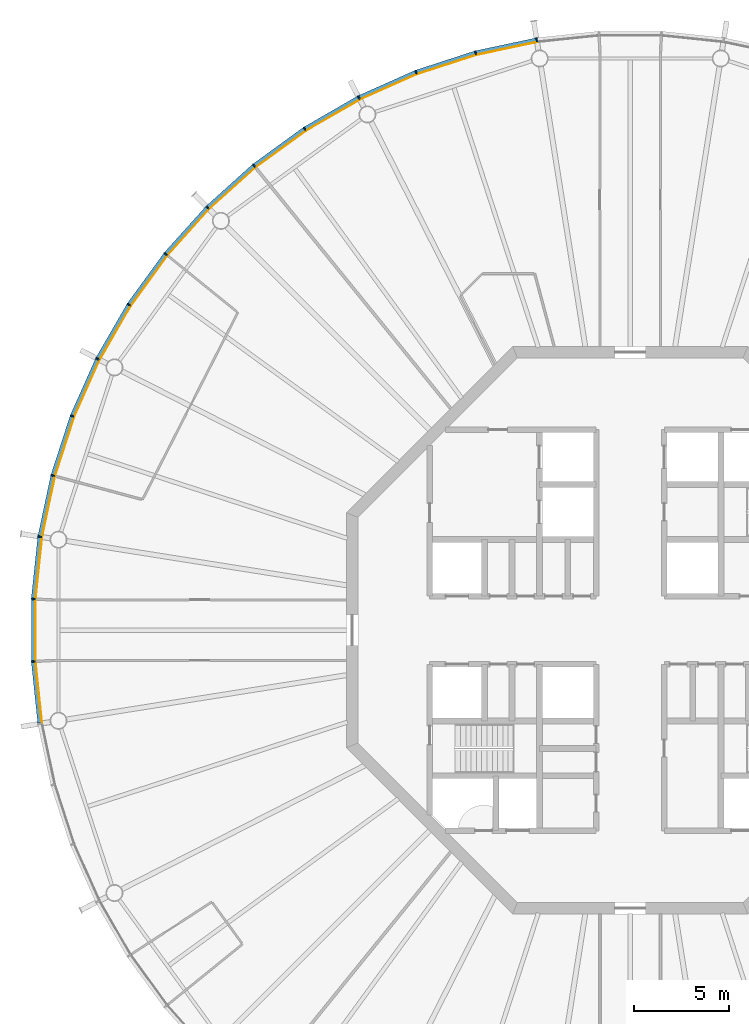
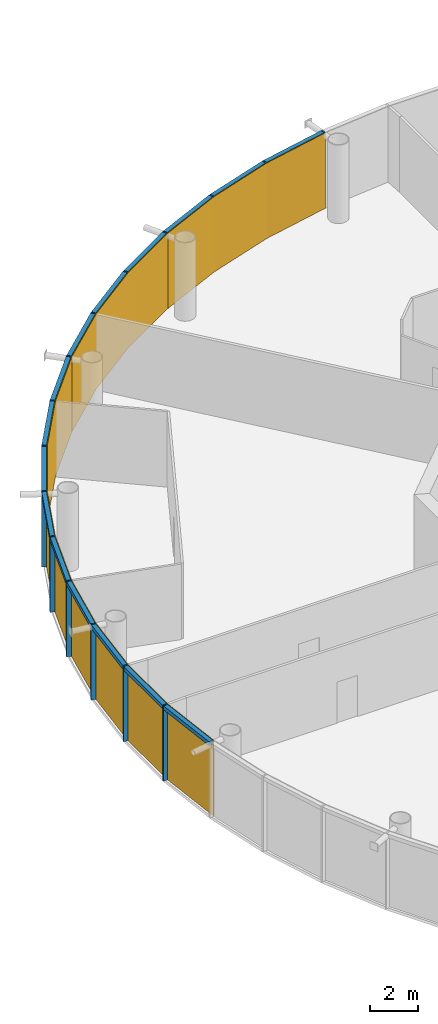
# One storey, part 15 of 18: 30 members, 5 curtain walls.
"""IFC4 building model written with IfcOpenShell, lengths in metres."""

import ifcopenshell
import ifcopenshell.guid

model = None  # the IFC model being written
_history = None  # IfcOwnerHistory: only IFC2X3 demands one
_inside = {}  # id of a spatial element -> (the spatial element, [elements in it])
_under = {}  # id of a project, library or spatial element -> (it, [spatial elements below it])
_declared = {}  # id of a project -> (the project, [libraries it declares])
_typed = {}  # id of a type object -> (the type object, [elements of that type])
_made_of = {}  # id of a material, layer set ... -> (it, [elements and type objects made of it])


def new_model(schema):
    """Start an empty IFC model of exactly this schema.

    Asked for "IFC4X3", IfcOpenShell would pick the latest addendum, in which some entities
    have other attributes; the version numbers below select the first issue.
    IFC2X3 requires an IfcOwnerHistory on every rooted entity: one is made here for all.
    """
    global model, _history
    if schema == "IFC4X3":
        model = ifcopenshell.file(schema_version=(4, 3, 0, 0))
    else:
        model = ifcopenshell.file(schema=schema)
    _inside.clear()
    _under.clear()
    _declared.clear()
    _typed.clear()
    _made_of.clear()
    _history = None
    if model.schema == "IFC2X3":
        org = make("IfcOrganization", Name="unknown")
        user = make(
            "IfcPersonAndOrganization",
            ThePerson=make("IfcPerson", FamilyName="unknown"),
            TheOrganization=org,
        )
        app = make(
            "IfcApplication",
            ApplicationDeveloper=org,
            Version="unknown",
            ApplicationFullName="unknown",
            ApplicationIdentifier="unknown",
        )
        _history = make(
            "IfcOwnerHistory",
            OwningUser=user,
            OwningApplication=app,
            ChangeAction="ADDED",
            CreationDate=0,
        )
    return model


def make(cls, **values):
    """One entity of the class cls with the attributes given. An attribute that is None is left unset."""
    return model.create_entity(
        cls, **{name: value for name, value in values.items() if value is not None}
    )


def rooted(cls, **values):
    """An entity with a GlobalId (a new one), such as an element, a storey or a relation."""
    return make(cls, GlobalId=ifcopenshell.guid.new(), OwnerHistory=_history, **values)


def si_unit(unit_type, name, prefix=None):
    """IfcSIUnit, for example si_unit("LENGTHUNIT", "METRE", prefix="MILLI")."""
    return make("IfcSIUnit", UnitType=unit_type, Prefix=prefix, Name=name)


def assignment(units):
    """IfcUnitAssignment: the units of a project."""
    return None if units is None else make("IfcUnitAssignment", Units=units)


def point(xyz):
    """IfcCartesianPoint."""
    return None if xyz is None else make("IfcCartesianPoint", Coordinates=xyz)


def direction(xyz):
    """IfcDirection."""
    return None if xyz is None else make("IfcDirection", DirectionRatios=xyz)


def frame(location, z_axis=None, x_axis=None):
    """IfcAxis2Placement3D, a coordinate frame: its origin and axes. An axis left out is left unset."""
    return make(
        "IfcAxis2Placement3D",
        Location=point(location),
        Axis=direction(z_axis),
        RefDirection=direction(x_axis),
    )


def frame_2d(location, x_axis=None):
    """IfcAxis2Placement2D, a coordinate frame in the plane: its origin and x axis."""
    return make(
        "IfcAxis2Placement2D", Location=point(location), RefDirection=direction(x_axis)
    )


def origin():
    """The frame at (0, 0, 0) with its axes left unset."""
    return frame((0.0, 0.0, 0.0))


def origin_2d():
    """The frame at (0, 0) in the plane with its x axis left unset."""
    return frame_2d((0.0, 0.0))


def place(relative_to, where):
    """IfcLocalPlacement: puts the frame where relative to a parent placement (None: the world)."""
    return make(
        "IfcLocalPlacement", PlacementRelTo=relative_to, RelativePlacement=where
    )


def context(
    kind, dimensions, precision=None, world=None, true_north=None, identifier=None
):
    """IfcGeometricRepresentationContext, for example the 3D "Model" context."""
    return make(
        "IfcGeometricRepresentationContext",
        ContextIdentifier=identifier,
        ContextType=kind,
        CoordinateSpaceDimension=dimensions,
        Precision=precision,
        WorldCoordinateSystem=world,
        TrueNorth=true_north,
    )


def subcontext(parent, identifier, kind, view, scale=None):
    """IfcGeometricRepresentationSubContext, for example "Body" below "Model"."""
    return make(
        "IfcGeometricRepresentationSubContext",
        ContextIdentifier=identifier,
        ContextType=kind,
        ParentContext=parent,
        TargetScale=scale,
        TargetView=view,
    )


def project(units=None, contexts=None):
    """IfcProject with its units and contexts."""
    return rooted(
        "IfcProject",
        Name="project",
        RepresentationContexts=contexts,
        UnitsInContext=assignment(units),
    )


def spatial(cls, under=None, at=None, **own):
    """A site, building, storey or space (cls), placed at a placement, below another one or the project."""
    s = rooted(cls, ObjectPlacement=at, **own)
    if under is not None:
        _under.setdefault(under.id(), (under, []))[1].append(s)
    return s


def polyline(points):
    """IfcPolyline through the points."""
    return make("IfcPolyline", Points=[point(p) for p in points])


def profile(cls, at=None, kind="AREA", **sizes):
    """A parametric profile (cls). Its sizes go by their IFC names, for example OverallWidth=200.0."""
    return make(cls, ProfileType=kind, Position=at, **sizes)


def rectangle(**sizes):
    """IfcRectangleProfileDef."""
    return profile("IfcRectangleProfileDef", **sizes)


def outline(outer, holes=None, kind="AREA"):
    """IfcArbitraryClosedProfileDef: a profile drawn as a closed curve; with holes, ...WithVoids."""
    if holes is None:
        return make("IfcArbitraryClosedProfileDef", ProfileType=kind, OuterCurve=outer)
    return make(
        "IfcArbitraryProfileDefWithVoids",
        ProfileType=kind,
        OuterCurve=outer,
        InnerCurves=holes,
    )


def extrude(swept, where, along, depth):
    """IfcExtrudedAreaSolid: the profile swept, set in the frame where, extruded along a direction by depth."""
    return make(
        "IfcExtrudedAreaSolid",
        SweptArea=swept,
        Position=where,
        ExtrudedDirection=direction(along),
        Depth=depth,
    )


def shape(context_of_items, identifier, shape_type, items):
    """IfcShapeRepresentation: the items that make up one representation, for example the "Body"."""
    return make(
        "IfcShapeRepresentation",
        ContextOfItems=context_of_items,
        RepresentationIdentifier=identifier,
        RepresentationType=shape_type,
        Items=items,
    )


def material(Name=None, Category=None):
    """IfcMaterial."""
    return make("IfcMaterial", Name=Name, Category=Category)


def layer(
    of_material, thickness, ventilated=None, Name=None, Category=None, Priority=None
):
    """IfcMaterialLayer: one layer of a wall or slab, of a material (None: an air gap)."""
    return make(
        "IfcMaterialLayer",
        Material=of_material,
        LayerThickness=thickness,
        IsVentilated=ventilated,
        Name=Name,
        Category=Category,
        Priority=Priority,
    )


def layer_set(layers, Name=None):
    """IfcMaterialLayerSet."""
    return make("IfcMaterialLayerSet", MaterialLayers=layers, LayerSetName=Name)


def material_profile(
    of_material, cross_section, Name=None, Category=None, Priority=None
):
    """IfcMaterialProfile: a cross section and its material."""
    return make(
        "IfcMaterialProfile",
        Name=Name,
        Material=of_material,
        Profile=cross_section,
        Priority=Priority,
        Category=Category,
    )


def profile_set(profiles, Name=None, composite=None):
    """IfcMaterialProfileSet."""
    return make(
        "IfcMaterialProfileSet",
        Name=Name,
        MaterialProfiles=profiles,
        CompositeProfile=composite,
    )


def made_of(thing, what):
    """Note that an element or type object is made of a material, layer set ...; save() writes the relation."""
    if what is not None:
        _made_of.setdefault(what.id(), (what, []))[1].append(thing)
    return thing


def type_object(cls, material=None, **own):
    """A type object (cls), such as IfcWallType, which elements share."""
    return made_of(rooted(cls, **own), material)


def element(
    cls,
    number,
    at=None,
    inside=None,
    cuts=None,
    type_object=None,
    material=None,
    context=None,
    identifier="Body",
    shape_type=None,
    held_by="IfcProductDefinitionShape",
    body=None,
    shapes=None,
    **own,
):
    """One element of the class cls, such as IfcWall. Its Tag is "e" and its number.

    at: its placement. inside: the storey or other place that contains it. cuts: it is an
    opening in that element (IfcRelVoidsElement). A single representation is given by context,
    identifier, shape_type and body (its items); several are given by shapes. held_by: the class
    of the entity that holds the representations. save() writes the other relations.
    """
    e = rooted(cls, Tag="e%d" % number, ObjectPlacement=at, **own)
    if body is not None:
        shapes = [shape(context, identifier, shape_type, body)]
    if shapes is not None:
        e.Representation = make(held_by, Representations=shapes)
    if inside is not None:
        _inside.setdefault(inside.id(), (inside, []))[1].append(e)
    if cuts is not None:
        rooted(
            "IfcRelVoidsElement", RelatingBuildingElement=cuts, RelatedOpeningElement=e
        )
    if type_object is not None:
        _typed.setdefault(type_object.id(), (type_object, []))[1].append(e)
    return made_of(e, material)


def aggregate(whole, parts):
    """IfcRelAggregates: a whole, such as a stair, and the parts it consists of."""
    return rooted("IfcRelAggregates", RelatingObject=whole, RelatedObjects=parts)


def save(model, path):
    """Write the relations noted so far, then the file.

    IfcRelAggregates (storeys below a building ...), IfcRelContainedInSpatialStructure (elements
    in a storey), IfcRelDefinesByType, IfcRelAssociatesMaterial and IfcRelDeclares: one each for
    every whole, place, type object, material and project.
    """
    for whole, parts in _under.values():
        aggregate(whole, parts)
    for where, things in _inside.values():
        rooted(
            "IfcRelContainedInSpatialStructure",
            RelatedElements=things,
            RelatingStructure=where,
        )
    for kind, things in _typed.values():
        rooted("IfcRelDefinesByType", RelatedObjects=things, RelatingType=kind)
    for what, things in _made_of.values():
        rooted("IfcRelAssociatesMaterial", RelatedObjects=things, RelatingMaterial=what)
    for by, libraries in _declared.values():
        rooted("IfcRelDeclares", RelatingContext=by, RelatedDefinitions=libraries)
    model.write(path)


model = new_model("IFC4")

# Units and contexts
model_context = context("Model", 3, precision=1e-05, world=origin(), true_north=direction((0.0, 1.0)))
body_context = subcontext(model_context, "Body", "Model", "MODEL_VIEW")
ifc_project = project(units=[si_unit("LENGTHUNIT", "METRE"), si_unit("AREAUNIT", "SQUARE_METRE"), si_unit("VOLUMEUNIT", "CUBIC_METRE"), si_unit("PLANEANGLEUNIT", "RADIAN"), si_unit("MASSUNIT", "GRAM", prefix="KILO")], contexts=[model_context])

# Member
ifc_material_1 = material(Name="Anodised aluminium", Category="aluminium")
ifc_material_profile_1 = material_profile(ifc_material_1, rectangle(XDim=0.070068359375, YDim=0.205078125, at=origin_2d()), Name="Mullion 70 x 205 mm anodised aluminium")
ifc_profile_set_1 = profile_set([ifc_material_profile_1], Name="Anodised aluminium")
member_type_1 = type_object("IfcMemberType", Name="Mullion 70 x 205 mm anodised aluminium", PredefinedType="MULLION", material=ifc_profile_set_1)
site_placement = place(None, origin())
building_placement = place(site_placement, origin())
storey_placement = place(building_placement, frame((0.0, 0.0, 388.0)))
member_1_placement = place(storey_placement, frame((85.056396484375, 111.21337890625, 0.0), z_axis=(0.0, 0.0, 1.0), x_axis=(-0.987688340595, -0.15643446504, 0.0)))
member_1 = element("IfcMember", 1, at=member_1_placement, type_object=member_type_1, Name="MULLION L90-15", PredefinedType="MULLION", context=body_context, shape_type="SweptSolid", body=[
    extrude(rectangle(XDim=0.070068359375, YDim=0.205078125, at=origin_2d()), origin(), (0.0, 0.0, 1.0), 3.85009765625),
])

member_2_placement = place(storey_placement, frame((81.820556640625, 110.525634765625, 0.0), z_axis=(0.0, 0.0, 1.0), x_axis=(-0.965925826289, -0.258819045103, 0.0)))
member_2 = element("IfcMember", 2, at=member_2_placement, type_object=member_type_1, Name="MULLION L90-16", PredefinedType="MULLION", context=body_context, shape_type="SweptSolid", body=[
    extrude(rectangle(XDim=0.070068359375, YDim=0.205078125, at=origin_2d()), origin(), (0.0, 0.0, 1.0), 3.85009765625),
])

member_3_placement = place(storey_placement, frame((78.674560546875, 109.50341796875, 0.0), z_axis=(0.0, 0.0, 1.0), x_axis=(-0.933580426497, -0.358367949545, 0.0)))
member_3 = element("IfcMember", 3, at=member_3_placement, type_object=member_type_1, Name="MULLION L90-17", PredefinedType="MULLION", context=body_context, shape_type="SweptSolid", body=[
    extrude(rectangle(XDim=0.070068359375, YDim=0.205078125, at=origin_2d()), origin(), (0.0, 0.0, 1.0), 3.85009765625),
])

member_4_placement = place(storey_placement, frame((75.65283203125, 108.157958984375, 0.0), z_axis=(0.0, 0.0, 1.0), x_axis=(-0.891006524188, -0.45399049974, 0.0)))
member_4 = element("IfcMember", 4, at=member_4_placement, type_object=member_type_1, Name="MULLION L90-18", PredefinedType="MULLION", context=body_context, shape_type="SweptSolid", body=[
    extrude(rectangle(XDim=0.070068359375, YDim=0.205078125, at=origin_2d()), origin(), (0.0, 0.0, 1.0), 3.85009765625),
])

member_5_placement = place(storey_placement, frame((72.7880859375, 106.504150390625, 0.0), z_axis=(0.0, 0.0, 1.0), x_axis=(-0.838670567945, -0.544639035015, 0.0)))
member_5 = element("IfcMember", 5, at=member_5_placement, type_object=member_type_1, Name="MULLION L90-19", PredefinedType="MULLION", context=body_context, shape_type="SweptSolid", body=[
    extrude(rectangle(XDim=0.070068359375, YDim=0.205078125, at=origin_2d()), origin(), (0.0, 0.0, 1.0), 3.85009765625),
])

member_6_placement = place(storey_placement, frame((70.11181640625, 104.559814453125, 0.0), z_axis=(0.0, 0.0, 1.0), x_axis=(-0.777145961457, -0.62932039105, 0.0)))
member_6 = element("IfcMember", 6, at=member_6_placement, type_object=member_type_1, Name="MULLION L90-20", PredefinedType="MULLION", context=body_context, shape_type="SweptSolid", body=[
    extrude(rectangle(XDim=0.070068359375, YDim=0.205078125, at=origin_2d()), origin(), (0.0, 0.0, 1.0), 3.85009765625),
])

member_7_placement = place(storey_placement, frame((67.653564453125, 102.346435546875, 0.0), z_axis=(0.0, 0.0, 1.0), x_axis=(-0.707106781187, -0.707106781187, 0.0)))
member_7 = element("IfcMember", 7, at=member_7_placement, type_object=member_type_1, Name="MULLION L90-21", PredefinedType="MULLION", context=body_context, shape_type="SweptSolid", body=[
    extrude(rectangle(XDim=0.070068359375, YDim=0.205078125, at=origin_2d()), origin(), (0.0, 0.0, 1.0), 3.85009765625),
])

member_8_placement = place(storey_placement, frame((65.440185546875, 99.88818359375, 0.0), z_axis=(0.0, 0.0, 1.0), x_axis=(-0.62932039105, -0.777145961457, 0.0)))
member_8 = element("IfcMember", 8, at=member_8_placement, type_object=member_type_1, Name="MULLION L90-22", PredefinedType="MULLION", context=body_context, shape_type="SweptSolid", body=[
    extrude(rectangle(XDim=0.070068359375, YDim=0.205078125, at=origin_2d()), origin(), (0.0, 0.0, 1.0), 3.85009765625),
])

member_9_placement = place(storey_placement, frame((63.495849609375, 97.2119140625, 0.0), z_axis=(0.0, 0.0, 1.0), x_axis=(-0.544639035015, -0.838670567945, 0.0)))
member_9 = element("IfcMember", 9, at=member_9_placement, type_object=member_type_1, Name="MULLION L90-23", PredefinedType="MULLION", context=body_context, shape_type="SweptSolid", body=[
    extrude(rectangle(XDim=0.070068359375, YDim=0.205078125, at=origin_2d()), origin(), (0.0, 0.0, 1.0), 3.85009765625),
])

member_10_placement = place(storey_placement, frame((61.842041015625, 94.34716796875, 0.0), z_axis=(0.0, 0.0, 1.0), x_axis=(-0.45399049974, -0.891006524188, 0.0)))
member_10 = element("IfcMember", 10, at=member_10_placement, type_object=member_type_1, Name="MULLION L90-24", PredefinedType="MULLION", context=body_context, shape_type="SweptSolid", body=[
    extrude(rectangle(XDim=0.070068359375, YDim=0.205078125, at=origin_2d()), origin(), (0.0, 0.0, 1.0), 3.85009765625),
])

member_11_placement = place(storey_placement, frame((60.49658203125, 91.325439453125, 0.0), z_axis=(0.0, 0.0, 1.0), x_axis=(-0.358367949545, -0.933580426497, 0.0)))
member_11 = element("IfcMember", 11, at=member_11_placement, type_object=member_type_1, Name="MULLION L90-25", PredefinedType="MULLION", context=body_context, shape_type="SweptSolid", body=[
    extrude(rectangle(XDim=0.070068359375, YDim=0.205078125, at=origin_2d()), origin(), (0.0, 0.0, 1.0), 3.85009765625),
])

member_12_placement = place(storey_placement, frame((59.474365234375, 88.179443359375, 0.0), z_axis=(0.0, 0.0, 1.0), x_axis=(-0.258819045103, -0.965925826289, 0.0)))
member_12 = element("IfcMember", 12, at=member_12_placement, type_object=member_type_1, Name="MULLION L90-26", PredefinedType="MULLION", context=body_context, shape_type="SweptSolid", body=[
    extrude(rectangle(XDim=0.070068359375, YDim=0.205078125, at=origin_2d()), origin(), (0.0, 0.0, 1.0), 3.85009765625),
])

member_13_placement = place(storey_placement, frame((58.78662109375, 84.943603515625, 0.0), z_axis=(0.0, 0.0, 1.0), x_axis=(-0.15643446504, -0.987688340595, 0.0)))
member_13 = element("IfcMember", 13, at=member_13_placement, type_object=member_type_1, Name="MULLION L90-27", PredefinedType="MULLION", context=body_context, shape_type="SweptSolid", body=[
    extrude(rectangle(XDim=0.070068359375, YDim=0.205078125, at=origin_2d()), origin(), (0.0, 0.0, 1.0), 3.85009765625),
])

member_14_placement = place(storey_placement, frame((58.44091796875, 81.654052734375, 0.0), z_axis=(0.0, 0.0, 1.0), x_axis=(-0.052335956243, -0.998629534755, 0.0)))
member_14 = element("IfcMember", 14, at=member_14_placement, type_object=member_type_1, Name="MULLION L90-28", PredefinedType="MULLION", context=body_context, shape_type="SweptSolid", body=[
    extrude(rectangle(XDim=0.070068359375, YDim=0.205078125, at=origin_2d()), origin(), (0.0, 0.0, 1.0), 3.85009765625),
])

member_15_placement = place(storey_placement, frame((58.44091796875, 78.345947265625, 0.0), z_axis=(0.0, 0.0, 1.0), x_axis=(0.052335956243, -0.998629534755, 0.0)))
member_15 = element("IfcMember", 15, at=member_15_placement, type_object=member_type_1, Name="MULLION L90-29", PredefinedType="MULLION", context=body_context, shape_type="SweptSolid", body=[
    extrude(rectangle(XDim=0.070068359375, YDim=0.205078125, at=origin_2d()), origin(), (0.0, 0.0, 1.0), 3.85009765625),
])

ifc_material_2 = material(Name="Anodised aluminium", Category="aluminium")
ifc_material_profile_2 = material_profile(ifc_material_2, rectangle(XDim=0.205078125, YDim=0.195068359375, at=origin_2d()), Name="Transom 195 x 205 mm anodised aluminium")
ifc_profile_set_2 = profile_set([ifc_material_profile_2], Name="Anodised aluminium")
member_type_2 = type_object("IfcMemberType", Name="Transom 195 x 205 mm anodised aluminium", PredefinedType="USERDEFINED", material=ifc_profile_set_2)
member_16_placement = place(storey_placement, frame((85.016845703125, 111.205078125, 3.75244140625), z_axis=(-0.978153082647, -0.207885898771, 0.0), x_axis=(0.207885898771, -0.978153082647, 0.0)))
member_16 = element("IfcMember", 16, at=member_16_placement, type_object=member_type_2, Name="TRANSOM L90-15", ObjectType="TRANSOM", PredefinedType="USERDEFINED", context=body_context, shape_type="SweptSolid", body=[
    extrude(rectangle(XDim=0.205078125, YDim=0.195068359375, at=origin_2d()), origin(), (0.0, 0.0, 1.0), 3.227294921875),
])

member_17_placement = place(storey_placement, frame((81.7822265625, 110.513427734375, 3.75244140625), z_axis=(-0.951046855117, -0.309046726844, 0.0), x_axis=(0.309046726844, -0.951046855117, 0.0)))
member_17 = element("IfcMember", 17, at=member_17_placement, type_object=member_type_2, Name="TRANSOM L90-16", ObjectType="TRANSOM", PredefinedType="USERDEFINED", context=body_context, shape_type="SweptSolid", body=[
    extrude(rectangle(XDim=0.205078125, YDim=0.195068359375, at=origin_2d()), origin(), (0.0, 0.0, 1.0), 3.22705078125),
])

member_18_placement = place(storey_placement, frame((78.6376953125, 109.4873046875, 3.75244140625), z_axis=(-0.913521178731, -0.406791170024, 0.0), x_axis=(0.406791170024, -0.913521178731, 0.0)))
member_18 = element("IfcMember", 18, at=member_18_placement, type_object=member_type_2, Name="TRANSOM L90-17", ObjectType="TRANSOM", PredefinedType="USERDEFINED", context=body_context, shape_type="SweptSolid", body=[
    extrude(rectangle(XDim=0.205078125, YDim=0.195068359375, at=origin_2d()), origin(), (0.0, 0.0, 1.0), 3.22705078125),
])

member_19_placement = place(storey_placement, frame((75.61767578125, 108.137939453125, 3.75244140625), z_axis=(-0.866023062494, -0.500004055213, 0.0), x_axis=(0.500004055213, -0.866023062494, 0.0)))
member_19 = element("IfcMember", 19, at=member_19_placement, type_object=member_type_2, Name="TRANSOM L90-18", ObjectType="TRANSOM", PredefinedType="USERDEFINED", context=body_context, shape_type="SweptSolid", body=[
    extrude(rectangle(XDim=0.205078125, YDim=0.195068359375, at=origin_2d()), origin(), (0.0, 0.0, 1.0), 3.22705078125),
])

member_20_placement = place(storey_placement, frame((72.75537109375, 106.48046875, 3.75244140625), z_axis=(-0.809004252048, -0.587802790201, 0.0), x_axis=(0.587802790201, -0.809004252048, 0.0)))
member_20 = element("IfcMember", 20, at=member_20_placement, type_object=member_type_2, Name="TRANSOM L90-19", ObjectType="TRANSOM", PredefinedType="USERDEFINED", context=body_context, shape_type="SweptSolid", body=[
    extrude(rectangle(XDim=0.205078125, YDim=0.195068359375, at=origin_2d()), origin(), (0.0, 0.0, 1.0), 3.227294921875),
])

member_21_placement = place(storey_placement, frame((70.081787109375, 104.532958984375, 3.75244140625), z_axis=(-0.743132370743, -0.669144438484, 0.0), x_axis=(0.669144438484, -0.743132370743, 0.0)))
member_21 = element("IfcMember", 21, at=member_21_placement, type_object=member_type_2, Name="TRANSOM L90-20", ObjectType="TRANSOM", PredefinedType="USERDEFINED", context=body_context, shape_type="SweptSolid", body=[
    extrude(rectangle(XDim=0.205078125, YDim=0.195068359375, at=origin_2d()), origin(), (0.0, 0.0, 1.0), 3.22705078125),
])

member_22_placement = place(storey_placement, frame((67.62646484375, 102.31640625, 3.75244140625), z_axis=(-0.669144438484, -0.743132370743, 0.0), x_axis=(0.743132370743, -0.669144438484, 0.0)))
member_22 = element("IfcMember", 22, at=member_22_placement, type_object=member_type_2, Name="TRANSOM L90-21", ObjectType="TRANSOM", PredefinedType="USERDEFINED", context=body_context, shape_type="SweptSolid", body=[
    extrude(rectangle(XDim=0.205078125, YDim=0.195068359375, at=origin_2d()), origin(), (0.0, 0.0, 1.0), 3.22705078125),
])

member_23_placement = place(storey_placement, frame((65.41650390625, 99.85546875, 3.75244140625), z_axis=(-0.587802790201, -0.809004252048, 0.0), x_axis=(0.809004252048, -0.587802790201, 0.0)))
member_23 = element("IfcMember", 23, at=member_23_placement, type_object=member_type_2, Name="TRANSOM L90-22", ObjectType="TRANSOM", PredefinedType="USERDEFINED", context=body_context, shape_type="SweptSolid", body=[
    extrude(rectangle(XDim=0.205078125, YDim=0.195068359375, at=origin_2d()), origin(), (0.0, 0.0, 1.0), 3.227294921875),
])

member_24_placement = place(storey_placement, frame((63.4755859375, 97.177001953125, 3.75244140625), z_axis=(-0.500004055213, -0.866023062494, 0.0), x_axis=(0.866023062494, -0.500004055213, 0.0)))
member_24 = element("IfcMember", 24, at=member_24_placement, type_object=member_type_2, Name="TRANSOM L90-23", ObjectType="TRANSOM", PredefinedType="USERDEFINED", context=body_context, shape_type="SweptSolid", body=[
    extrude(rectangle(XDim=0.205078125, YDim=0.195068359375, at=origin_2d()), origin(), (0.0, 0.0, 1.0), 3.22705078125),
])

member_25_placement = place(storey_placement, frame((61.825439453125, 94.310302734375, 3.75244140625), z_axis=(-0.406791170024, -0.913521178731, 0.0), x_axis=(0.913521178731, -0.406791170024, 0.0)))
member_25 = element("IfcMember", 25, at=member_25_placement, type_object=member_type_2, Name="TRANSOM L90-24", ObjectType="TRANSOM", PredefinedType="USERDEFINED", context=body_context, shape_type="SweptSolid", body=[
    extrude(rectangle(XDim=0.205078125, YDim=0.195068359375, at=origin_2d()), origin(), (0.0, 0.0, 1.0), 3.22705078125),
])

member_26_placement = place(storey_placement, frame((60.48388671875, 91.286865234375, 3.75244140625), z_axis=(-0.309046726844, -0.951046855117, 0.0), x_axis=(0.951046855117, -0.309046726844, 0.0)))
member_26 = element("IfcMember", 26, at=member_26_placement, type_object=member_type_2, Name="TRANSOM L90-25", ObjectType="TRANSOM", PredefinedType="USERDEFINED", context=body_context, shape_type="SweptSolid", body=[
    extrude(rectangle(XDim=0.205078125, YDim=0.195068359375, at=origin_2d()), origin(), (0.0, 0.0, 1.0), 3.22705078125),
])

member_27_placement = place(storey_placement, frame((59.4658203125, 88.139892578125, 3.75244140625), z_axis=(-0.207885898771, -0.978153082647, 0.0), x_axis=(0.978153082647, -0.207885898771, 0.0)))
member_27 = element("IfcMember", 27, at=member_27_placement, type_object=member_type_2, Name="TRANSOM L90-26", ObjectType="TRANSOM", PredefinedType="USERDEFINED", context=body_context, shape_type="SweptSolid", body=[
    extrude(rectangle(XDim=0.205078125, YDim=0.195068359375, at=origin_2d()), origin(), (0.0, 0.0, 1.0), 3.227294921875),
])

member_28_placement = place(storey_placement, frame((58.7822265625, 84.903564453125, 3.75244140625), z_axis=(-0.104550890115, -0.994519537956, 0.0), x_axis=(0.994519537956, -0.104550890115, 0.0)))
member_28 = element("IfcMember", 28, at=member_28_placement, type_object=member_type_2, Name="TRANSOM L90-27", ObjectType="TRANSOM", PredefinedType="USERDEFINED", context=body_context, shape_type="SweptSolid", body=[
    extrude(rectangle(XDim=0.205078125, YDim=0.195068359375, at=origin_2d()), origin(), (0.0, 0.0, 1.0), 3.22705078125),
])

member_29_placement = place(storey_placement, frame((58.440673828125, 81.613525390625, 3.75244140625), z_axis=(0.0, -1.0, 0.0), x_axis=(1.0, 0.0, 0.0)))
member_29 = element("IfcMember", 29, at=member_29_placement, type_object=member_type_2, Name="TRANSOM L90-28", ObjectType="TRANSOM", PredefinedType="USERDEFINED", context=body_context, shape_type="SweptSolid", body=[
    extrude(rectangle(XDim=0.205078125, YDim=0.195068359375, at=origin_2d()), origin(), (0.0, 0.0, 1.0), 3.22705078125),
])

member_30_placement = place(storey_placement, frame((58.44482421875, 78.305908203125, 3.75244140625), z_axis=(0.104550890115, -0.994519537956, 0.0), x_axis=(0.994519537956, 0.104550890115, 0.0)))
member_30 = element("IfcMember", 30, at=member_30_placement, type_object=member_type_2, Name="TRANSOM L90-29", ObjectType="TRANSOM", PredefinedType="USERDEFINED", context=body_context, shape_type="SweptSolid", body=[
    extrude(rectangle(XDim=0.205078125, YDim=0.195068359375, at=origin_2d()), origin(), (0.0, 0.0, 1.0), 3.22705078125),
])

# Site, building, storey
site = spatial("IfcSite", under=ifc_project, at=site_placement, CompositionType="ELEMENT")
building = spatial("IfcBuilding", under=site, at=building_placement, Name="Entoto Ring Tower", CompositionType="ELEMENT")
storey = spatial("IfcBuildingStorey", under=building, at=storey_placement, Name="L90", CompositionType="ELEMENT", Elevation=388.0)

# Curtain wall
ifc_material_3 = material(Name="Clear low-iron glass", Category="glass")
ifc_layer = layer(ifc_material_3, 0.035888671875)
ifc_layer_set = layer_set([ifc_layer], Name="Clear low-iron glass")
curtain_wall_type = type_object("IfcCurtainWallType", Name="Curtain wall system CW6 glazing 36 mm", PredefinedType="NOTDEFINED", material=ifc_layer_set)
curtain_wall_1_placement = place(storey_placement, origin())
curtain_wall_1 = element("IfcCurtainWall", 31, at=curtain_wall_1_placement, inside=storey, type_object=curtain_wall_type, Name="CW6 L90-06", PredefinedType="NOTDEFINED", context=body_context, shape_type="SweptSolid", body=[
    extrude(outline(polyline([(85.072265625, 111.1123046875), (81.84716796875, 110.4267578125), (78.71142578125, 109.40771484375), (75.69921875, 108.066650390625), (75.715576171875, 108.03466796875), (78.724365234375, 109.3740234375), (81.8564453125, 110.391845703125), (85.077880859375, 111.07666015625), (85.072265625, 111.1123046875)])), origin(), (0.0, 0.0, 1.0), 3.85009765625),
])

aggregate(curtain_wall_1, [member_1, member_2, member_3, member_16, member_17, member_18])

curtain_wall_2_placement = place(storey_placement, origin())
curtain_wall_2 = element("IfcCurtainWall", 32, at=curtain_wall_2_placement, inside=storey, type_object=curtain_wall_type, Name="CW6 L90-07", PredefinedType="NOTDEFINED", context=body_context, shape_type="SweptSolid", body=[
    extrude(outline(polyline([(75.69921875, 108.066650390625), (72.84375, 106.418212890625), (70.176513671875, 104.47998046875), (67.72607421875, 102.27392578125), (67.751708984375, 102.248291015625), (70.198974609375, 104.4521484375), (72.863525390625, 106.387939453125), (75.715576171875, 108.03466796875), (75.69921875, 108.066650390625)])), origin(), (0.0, 0.0, 1.0), 3.85009765625),
])

aggregate(curtain_wall_2, [member_4, member_5, member_6, member_19, member_20, member_21])

curtain_wall_3_placement = place(storey_placement, origin())
curtain_wall_3 = element("IfcCurtainWall", 33, at=curtain_wall_3_placement, inside=storey, type_object=curtain_wall_type, Name="CW6 L90-08", PredefinedType="NOTDEFINED", context=body_context, shape_type="SweptSolid", body=[
    extrude(outline(polyline([(67.72607421875, 102.27392578125), (65.52001953125, 99.823486328125), (63.581787109375, 97.15625), (61.933349609375, 94.30078125), (61.96533203125, 94.284423828125), (63.612060546875, 97.136474609375), (65.5478515625, 99.801025390625), (67.751708984375, 102.248291015625), (67.72607421875, 102.27392578125)])), origin(), (0.0, 0.0, 1.0), 3.85009765625),
])

aggregate(curtain_wall_3, [member_7, member_8, member_9, member_22, member_23, member_24])

curtain_wall_4_placement = place(storey_placement, origin())
curtain_wall_4 = element("IfcCurtainWall", 34, at=curtain_wall_4_placement, inside=storey, type_object=curtain_wall_type, Name="CW6 L90-09", PredefinedType="NOTDEFINED", context=body_context, shape_type="SweptSolid", body=[
    extrude(outline(polyline([(61.933349609375, 94.30078125), (60.59228515625, 91.28857421875), (59.5732421875, 88.15283203125), (58.8876953125, 84.927734375), (58.92333984375, 84.922119140625), (59.608154296875, 88.1435546875), (60.6259765625, 91.275634765625), (61.96533203125, 94.284423828125), (61.933349609375, 94.30078125)])), origin(), (0.0, 0.0, 1.0), 3.85009765625),
])

aggregate(curtain_wall_4, [member_10, member_11, member_12, member_25, member_26, member_27])

curtain_wall_5_placement = place(storey_placement, origin())
curtain_wall_5 = element("IfcCurtainWall", 35, at=curtain_wall_5_placement, inside=storey, type_object=curtain_wall_type, Name="CW6 L90-10", PredefinedType="NOTDEFINED", context=body_context, shape_type="SweptSolid", body=[
    extrude(outline(polyline([(58.8876953125, 84.927734375), (58.543212890625, 81.648681640625), (58.543212890625, 78.351318359375), (58.8876953125, 75.072265625), (58.92333984375, 75.077880859375), (58.5791015625, 78.353271484375), (58.5791015625, 81.646728515625), (58.92333984375, 84.922119140625), (58.8876953125, 84.927734375)])), origin(), (0.0, 0.0, 1.0), 3.85009765625),
])

aggregate(curtain_wall_5, [member_13, member_14, member_15, member_28, member_29, member_30])

save(model, "model.ifc")
